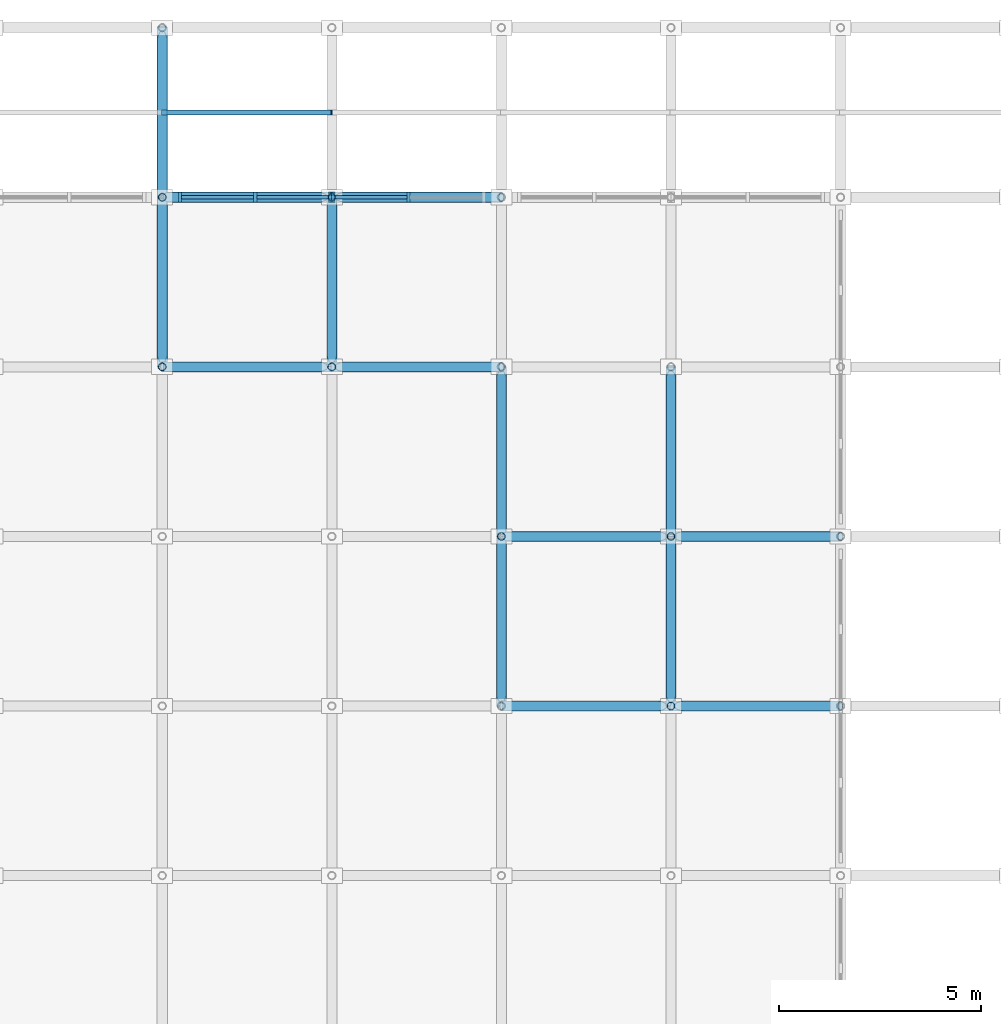
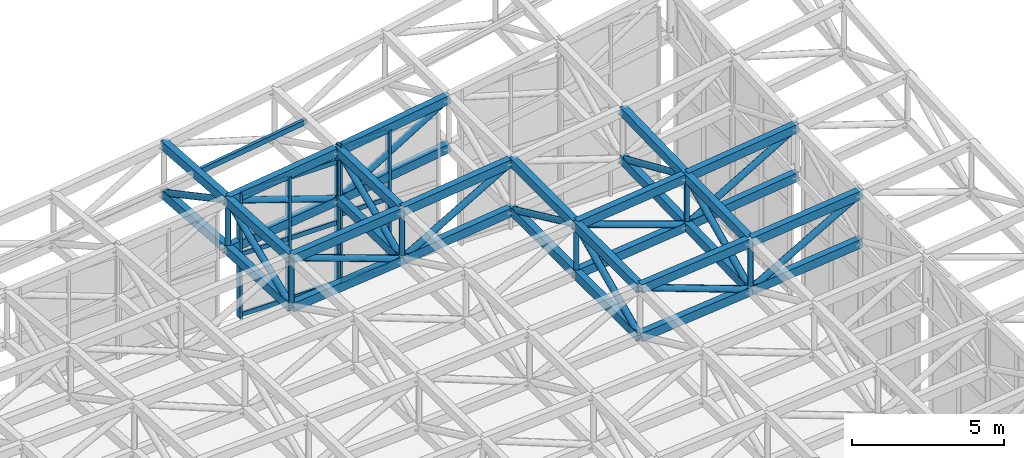
# One storey, part 58 of 111: 67 members, 2 elements without a shape of their own.
"""IFC4 building model written with IfcOpenShell, lengths in metres."""

from ifc_helpers import new_model, si_unit, direction, frame, origin, origin_2d, place, context, subcontext, project, spatial, rectangle, hollow_rectangle, hollow_circle, extrude, material, material_profile, profile_set, type_object, element, aggregate, save


model = new_model("IFC4")

# Units and contexts
model_context = context("Model", 3, precision=1e-05, world=origin(), true_north=direction((0.0, 1.0)))
body_context = subcontext(model_context, "Body", "Model", "MODEL_VIEW")
ifc_project = project(units=[si_unit("LENGTHUNIT", "METRE"), si_unit("AREAUNIT", "SQUARE_METRE"), si_unit("VOLUMEUNIT", "CUBIC_METRE"), si_unit("PLANEANGLEUNIT", "RADIAN"), si_unit("MASSUNIT", "GRAM", prefix="KILO")], contexts=[model_context])

# Site, building, storey
site_placement = place(None, origin())
site = spatial("IfcSite", under=ifc_project, at=site_placement, CompositionType="ELEMENT")
building_placement = place(site_placement, origin())
building = spatial("IfcBuilding", under=site, at=building_placement, Name="Cumbredor Promenade Congress Hotel", CompositionType="ELEMENT")
storey_placement = place(building_placement, frame((0.0, 0.0, 15.1201171875)))
storey = spatial("IfcBuildingStorey", under=building, at=storey_placement, Name="L04", CompositionType="ELEMENT", Elevation=15.1201171875)

# Curtain wall, members
ifc_material_1 = material(Name="Thermally broken anodized aluminium and low-E glass", Category="aluminium")
curtain_wall_type = type_object("IfcCurtainWallType", Name="Stepped Pavilion Clerestory Curtain Wall CW-06", PredefinedType="NOTDEFINED", material=ifc_material_1)
curtain_wall_1_placement = place(storey_placement, origin())
curtain_wall_1 = element("IfcCurtainWall", 1, at=curtain_wall_1_placement, inside=storey, type_object=curtain_wall_type, Name="Pre-Function and Breakout Meeting Forum N Glazed Clerestory 17", PredefinedType="NOTDEFINED")
ifc_material_2 = material(Name="Thermally broken anodized aluminium", Category="aluminium")
ifc_material_profile_1 = material_profile(ifc_material_2, rectangle(XDim=0.0849609375, YDim=0.260009765625, at=origin_2d()), Name="ALU MULLION CLERESTORY 85x260")
ifc_profile_set_1 = profile_set([ifc_material_profile_1], Name="Thermally broken anodized aluminium")
member_type_1 = type_object("IfcMemberType", Name="Curtain Wall Mullion ML-04", PredefinedType="MULLION", material=ifc_profile_set_1)
member_1_placement = place(storey_placement, frame((160.0400390625, 117.60009765625, -0.01806640625), z_axis=(0.0, 0.0, 1.0), x_axis=(1.0, 0.0, 0.0)))
member_1 = element("IfcMember", 2, at=member_1_placement, type_object=member_type_1, Name="Pre-Function and Breakout Meeting Forum N Glazed Clerestory 17 Mullion 1", PredefinedType="MULLION", context=body_context, shape_type="SweptSolid", body=[
    extrude(rectangle(XDim=0.0849609375, YDim=0.260009765625, at=origin_2d()), origin(), (0.0, 0.0, 1.0), 5.064453125),
])
member_2_placement = place(storey_placement, frame((161.89990234375, 117.60009765625, -0.01806640625), z_axis=(0.0, 0.0, 1.0), x_axis=(1.0, 0.0, 0.0)))
member_2 = element("IfcMember", 3, at=member_2_placement, type_object=member_type_1, Name="Pre-Function and Breakout Meeting Forum N Glazed Clerestory 17 Mullion 2", PredefinedType="MULLION", context=body_context, shape_type="SweptSolid", body=[
    extrude(rectangle(XDim=0.0849609375, YDim=0.260009765625, at=origin_2d()), origin(), (0.0, 0.0, 1.0), 5.064453125),
])
member_3_placement = place(storey_placement, frame((163.760009765625, 117.60009765625, -0.01806640625), z_axis=(0.0, 0.0, 1.0), x_axis=(1.0, 0.0, 0.0)))
member_3 = element("IfcMember", 4, at=member_3_placement, type_object=member_type_1, Name="Pre-Function and Breakout Meeting Forum N Glazed Clerestory 17 Mullion 3", PredefinedType="MULLION", context=body_context, shape_type="SweptSolid", body=[
    extrude(rectangle(XDim=0.0849609375, YDim=0.260009765625, at=origin_2d()), origin(), (0.0, 0.0, 1.0), 5.064453125),
])

curtain_wall_2_placement = place(storey_placement, origin())
curtain_wall_2 = element("IfcCurtainWall", 5, at=curtain_wall_2_placement, inside=storey, type_object=curtain_wall_type, Name="Pre-Function and Breakout Meeting Forum N Glazed Clerestory 18", PredefinedType="NOTDEFINED")
member_4_placement = place(storey_placement, frame((163.840087890625, 117.60009765625, -0.01806640625), z_axis=(0.0, 0.0, 1.0), x_axis=(1.0, 0.0, 0.0)))
member_4 = element("IfcMember", 6, at=member_4_placement, type_object=member_type_1, Name="Pre-Function and Breakout Meeting Forum N Glazed Clerestory 18 Mullion 1", PredefinedType="MULLION", context=body_context, shape_type="SweptSolid", body=[
    extrude(rectangle(XDim=0.0849609375, YDim=0.260009765625, at=origin_2d()), origin(), (0.0, 0.0, 1.0), 5.6123046875),
])
member_5_placement = place(storey_placement, frame((165.699951171875, 117.60009765625, -0.01806640625), z_axis=(0.0, 0.0, 1.0), x_axis=(1.0, 0.0, 0.0)))
member_5 = element("IfcMember", 7, at=member_5_placement, type_object=member_type_1, Name="Pre-Function and Breakout Meeting Forum N Glazed Clerestory 18 Mullion 2", PredefinedType="MULLION", context=body_context, shape_type="SweptSolid", body=[
    extrude(rectangle(XDim=0.0849609375, YDim=0.260009765625, at=origin_2d()), origin(), (0.0, 0.0, 1.0), 5.6123046875),
])

# Member
ifc_material_profile_2 = material_profile(ifc_material_2, rectangle(XDim=0.080078125, YDim=0.179931640625, at=origin_2d()), Name="ALU TRANSOM 80x180")
ifc_profile_set_2 = profile_set([ifc_material_profile_2], Name="Thermally broken anodized aluminium")
member_type_2 = type_object("IfcMemberType", Name="Curtain Wall Transom TR-03", PredefinedType="USERDEFINED", material=ifc_profile_set_2)
member_6_placement = place(storey_placement, frame((160.08251953125, 117.60009765625, 0.079833984375), z_axis=(1.0, 0.0, 0.0), x_axis=(0.0, 1.0, 0.0)))
member_6 = element("IfcMember", 8, at=member_6_placement, type_object=member_type_2, Name="Pre-Function and Breakout Meeting Forum N Glazed Clerestory 17 Transom 1.1", ObjectType="TRANSOM", PredefinedType="USERDEFINED", context=body_context, shape_type="SweptSolid", body=[
    extrude(rectangle(XDim=0.080078125, YDim=0.179931640625, at=origin_2d()), origin(), (0.0, 0.0, 1.0), 1.77490234375),
])

member_7_placement = place(storey_placement, frame((160.08251953125, 117.60009765625, 2.509765625), z_axis=(1.0, 0.0, 0.0), x_axis=(0.0, 1.0, 0.0)))
member_7 = element("IfcMember", 9, at=member_7_placement, type_object=member_type_2, Name="Pre-Function and Breakout Meeting Forum N Glazed Clerestory 17 Transom 1.2", ObjectType="TRANSOM", PredefinedType="USERDEFINED", context=body_context, shape_type="SweptSolid", body=[
    extrude(rectangle(XDim=0.080078125, YDim=0.179931640625, at=origin_2d()), origin(), (0.0, 0.0, 1.0), 1.77490234375),
])

member_8_placement = place(storey_placement, frame((160.08251953125, 117.60009765625, 4.949951171875), z_axis=(1.0, 0.0, 0.0), x_axis=(0.0, 1.0, 0.0)))
member_8 = element("IfcMember", 10, at=member_8_placement, type_object=member_type_2, Name="Pre-Function and Breakout Meeting Forum N Glazed Clerestory 17 Transom 1.3", ObjectType="TRANSOM", PredefinedType="USERDEFINED", context=body_context, shape_type="SweptSolid", body=[
    extrude(rectangle(XDim=0.080078125, YDim=0.179931640625, at=origin_2d()), origin(), (0.0, 0.0, 1.0), 1.77490234375),
])

member_9_placement = place(storey_placement, frame((161.9423828125, 117.60009765625, 0.079833984375), z_axis=(1.0, 0.0, 0.0), x_axis=(0.0, 1.0, 0.0)))
member_9 = element("IfcMember", 11, at=member_9_placement, type_object=member_type_2, Name="Pre-Function and Breakout Meeting Forum N Glazed Clerestory 17 Transom 2.1", ObjectType="TRANSOM", PredefinedType="USERDEFINED", context=body_context, shape_type="SweptSolid", body=[
    extrude(rectangle(XDim=0.080078125, YDim=0.179931640625, at=origin_2d()), origin(), (0.0, 0.0, 1.0), 1.775146484375),
])

member_10_placement = place(storey_placement, frame((161.9423828125, 117.60009765625, 2.509765625), z_axis=(1.0, 0.0, 0.0), x_axis=(0.0, 1.0, 0.0)))
member_10 = element("IfcMember", 12, at=member_10_placement, type_object=member_type_2, Name="Pre-Function and Breakout Meeting Forum N Glazed Clerestory 17 Transom 2.2", ObjectType="TRANSOM", PredefinedType="USERDEFINED", context=body_context, shape_type="SweptSolid", body=[
    extrude(rectangle(XDim=0.080078125, YDim=0.179931640625, at=origin_2d()), origin(), (0.0, 0.0, 1.0), 1.775146484375),
])

member_11_placement = place(storey_placement, frame((161.9423828125, 117.60009765625, 4.949951171875), z_axis=(1.0, 0.0, 0.0), x_axis=(0.0, 1.0, 0.0)))
member_11 = element("IfcMember", 13, at=member_11_placement, type_object=member_type_2, Name="Pre-Function and Breakout Meeting Forum N Glazed Clerestory 17 Transom 2.3", ObjectType="TRANSOM", PredefinedType="USERDEFINED", context=body_context, shape_type="SweptSolid", body=[
    extrude(rectangle(XDim=0.080078125, YDim=0.179931640625, at=origin_2d()), origin(), (0.0, 0.0, 1.0), 1.775146484375),
])

aggregate(curtain_wall_1, [member_1, member_2, member_3, member_6, member_7, member_8, member_9, member_10, member_11])

member_12_placement = place(storey_placement, frame((163.882568359375, 117.60009765625, 0.079833984375), z_axis=(1.0, 0.0, 0.0), x_axis=(0.0, 1.0, 0.0)))
member_12 = element("IfcMember", 14, at=member_12_placement, type_object=member_type_2, Name="Pre-Function and Breakout Meeting Forum N Glazed Clerestory 18 Transom 1.1", ObjectType="TRANSOM", PredefinedType="USERDEFINED", context=body_context, shape_type="SweptSolid", body=[
    extrude(rectangle(XDim=0.080078125, YDim=0.179931640625, at=origin_2d()), origin(), (0.0, 0.0, 1.0), 1.77490234375),
])

member_13_placement = place(storey_placement, frame((163.882568359375, 117.60009765625, 2.789794921875), z_axis=(1.0, 0.0, 0.0), x_axis=(0.0, 1.0, 0.0)))
member_13 = element("IfcMember", 15, at=member_13_placement, type_object=member_type_2, Name="Pre-Function and Breakout Meeting Forum N Glazed Clerestory 18 Transom 1.2", ObjectType="TRANSOM", PredefinedType="USERDEFINED", context=body_context, shape_type="SweptSolid", body=[
    extrude(rectangle(XDim=0.080078125, YDim=0.179931640625, at=origin_2d()), origin(), (0.0, 0.0, 1.0), 1.77490234375),
])

member_14_placement = place(storey_placement, frame((163.882568359375, 117.60009765625, 5.5), z_axis=(1.0, 0.0, 0.0), x_axis=(0.0, 1.0, 0.0)))
member_14 = element("IfcMember", 16, at=member_14_placement, type_object=member_type_2, Name="Pre-Function and Breakout Meeting Forum N Glazed Clerestory 18 Transom 1.3", ObjectType="TRANSOM", PredefinedType="USERDEFINED", context=body_context, shape_type="SweptSolid", body=[
    extrude(rectangle(XDim=0.080078125, YDim=0.179931640625, at=origin_2d()), origin(), (0.0, 0.0, 1.0), 1.77490234375),
])

aggregate(curtain_wall_2, [member_4, member_5, member_12, member_13, member_14])

# Members
ifc_material_3 = material(Name="Steel ASTM A500 Grade C", Category="steel")
ifc_material_profile_3 = material_profile(ifc_material_3, hollow_rectangle(XDim=0.25, YDim=0.35009765625, WallThickness=0.01611328125, at=origin_2d()), Name="HSS 350x250x16")
ifc_profile_set_3 = profile_set([ifc_material_profile_3], Name="Steel ASTM A500 Grade C")
member_type_3 = type_object("IfcMemberType", Name="Forum Roof Truss Chord", PredefinedType="CHORD", material=ifc_profile_set_3)
for number, where, z_axis, x_axis, name in (
    (17, (168.0, 105.0, 6.0263671875), (0.995192328225, 0.0, 0.097939929761), (0.0, 1.0, 0.0), "Pre-Function and Breakout Meeting Forum X Top Chord 20.7"),
    (18, (168.0, 105.0, 4.076416015625), (0.995192328225, 0.0, 0.097939929761), (0.0, 1.0, 0.0), "Pre-Function and Breakout Meeting Forum X Bottom Chord 20.7"),
):
    element("IfcMember", number, at=place(storey_placement, frame(where, z_axis=z_axis, x_axis=x_axis)), inside=storey, type_object=member_type_3, Name=name, PredefinedType="CHORD", context=body_context, shape_type="SweptSolid", body=[
        extrude(hollow_rectangle(XDim=0.25, YDim=0.35009765625, WallThickness=0.01611328125, at=origin_2d()), origin(), (0.0, 0.0, 1.0), 4.22021484375),
    ])
for number, where, z_axis, x_axis, name in (
    (19, (172.199951171875, 105.0, 6.439697265625), (0.994012705385, 0.0, 0.109264548386), (0.0, 1.0, 0.0), "Pre-Function and Breakout Meeting Forum X Top Chord 21.7"),
    (20, (172.199951171875, 105.0, 4.48974609375), (0.994012705385, 0.0, 0.109264548386), (0.0, 1.0, 0.0), "Pre-Function and Breakout Meeting Forum X Bottom Chord 21.7"),
):
    element("IfcMember", number, at=place(storey_placement, frame(where, z_axis=z_axis, x_axis=x_axis)), inside=storey, type_object=member_type_3, Name=name, PredefinedType="CHORD", context=body_context, shape_type="SweptSolid", body=[
        extrude(hollow_rectangle(XDim=0.25, YDim=0.35009765625, WallThickness=0.01611328125, at=origin_2d()), origin(), (0.0, 0.0, 1.0), 4.225341796875),
    ])
for number, where, z_axis, x_axis, name in (
    (21, (168.0, 109.199951171875, 6.0263671875), (0.993701360609, 0.0, 0.112060724268), (0.0, 1.0, 0.0), "Pre-Function and Breakout Meeting Forum X Top Chord 20.8"),
    (22, (168.0, 109.199951171875, 4.076171875), (0.993701360609, 0.0, 0.112060724268), (0.0, 1.0, 0.0), "Pre-Function and Breakout Meeting Forum X Bottom Chord 20.8"),
):
    element("IfcMember", number, at=place(storey_placement, frame(where, z_axis=z_axis, x_axis=x_axis)), inside=storey, type_object=member_type_3, Name=name, PredefinedType="CHORD", context=body_context, shape_type="SweptSolid", body=[
        extrude(hollow_rectangle(XDim=0.25, YDim=0.35009765625, WallThickness=0.01611328125, at=origin_2d()), origin(), (0.0, 0.0, 1.0), 4.2265625),
    ])
for number, where, z_axis, x_axis, name in (
    (23, (172.199951171875, 109.199951171875, 6.5), (0.992159418493, 0.0, 0.124978751373), (0.0, 1.0, 0.0), "Pre-Function and Breakout Meeting Forum X Top Chord 21.8"),
    (24, (172.199951171875, 109.199951171875, 4.5498046875), (0.992152265457, 0.0, 0.125035523543), (0.0, 1.0, 0.0), "Pre-Function and Breakout Meeting Forum X Bottom Chord 21.8"),
):
    element("IfcMember", number, at=place(storey_placement, frame(where, z_axis=z_axis, x_axis=x_axis)), inside=storey, type_object=member_type_3, Name=name, PredefinedType="CHORD", context=body_context, shape_type="SweptSolid", body=[
        extrude(hollow_rectangle(XDim=0.25, YDim=0.35009765625, WallThickness=0.01611328125, at=origin_2d()), origin(), (0.0, 0.0, 1.0), 4.233154296875),
    ])
for number, where, z_axis, x_axis, name in (
    (25, (159.60009765625, 113.39990234375, 5.0791015625), (0.994564532664, 0.0, 0.104121997519), (0.0, 1.0, 0.0), "Pre-Function and Breakout Meeting Forum X Top Chord 18.9"),
    (26, (159.60009765625, 113.39990234375, 3.12890625), (0.994564532664, 0.0, 0.104121997519), (0.0, 1.0, 0.0), "Pre-Function and Breakout Meeting Forum X Bottom Chord 18.9"),
):
    element("IfcMember", number, at=place(storey_placement, frame(where, z_axis=z_axis, x_axis=x_axis)), inside=storey, type_object=member_type_3, Name=name, PredefinedType="CHORD", context=body_context, shape_type="SweptSolid", body=[
        extrude(hollow_rectangle(XDim=0.25, YDim=0.35009765625, WallThickness=0.01611328125, at=origin_2d()), origin(), (0.0, 0.0, 1.0), 4.222900390625),
    ])
for number, where, z_axis, x_axis, name in (
    (27, (163.800048828125, 113.39990234375, 5.518798828125), (0.992790285705, 0.0, 0.119864292473), (0.0, 1.0, 0.0), "Pre-Function and Breakout Meeting Forum X Top Chord 19.9"),
    (28, (163.800048828125, 113.39990234375, 3.568603515625), (0.992790285705, 0.0, 0.119864292473), (0.0, 1.0, 0.0), "Pre-Function and Breakout Meeting Forum X Bottom Chord 19.9"),
):
    element("IfcMember", number, at=place(storey_placement, frame(where, z_axis=z_axis, x_axis=x_axis)), inside=storey, type_object=member_type_3, Name=name, PredefinedType="CHORD", context=body_context, shape_type="SweptSolid", body=[
        extrude(hollow_rectangle(XDim=0.25, YDim=0.35009765625, WallThickness=0.01611328125, at=origin_2d()), origin(), (0.0, 0.0, 1.0), 4.23046875),
    ])
for number, where, z_axis, x_axis, name in (
    (29, (159.60009765625, 117.60009765625, 4.845458984375), (0.991606838382, 0.0, 0.129289899348), (0.0, 1.0, 0.0), "Pre-Function and Breakout Meeting Forum X Top Chord 18.10"),
    (30, (159.60009765625, 117.60009765625, 2.895263671875), (0.991599446903, 0.0, 0.129346576693), (0.0, 1.0, 0.0), "Pre-Function and Breakout Meeting Forum X Bottom Chord 18.10"),
):
    element("IfcMember", number, at=place(storey_placement, frame(where, z_axis=z_axis, x_axis=x_axis)), inside=storey, type_object=member_type_3, Name=name, PredefinedType="CHORD", context=body_context, shape_type="SweptSolid", body=[
        extrude(hollow_rectangle(XDim=0.25, YDim=0.35009765625, WallThickness=0.01611328125, at=origin_2d()), origin(), (0.0, 0.0, 1.0), 4.235595703125),
    ])
member_15_placement = place(storey_placement, frame((163.800048828125, 117.60009765625, 5.39306640625), z_axis=(0.988872595274, 0.0, 0.14876488267), x_axis=(0.0, 1.0, 0.0)))
element("IfcMember", 31, at=member_15_placement, inside=storey, type_object=member_type_3, Name="Pre-Function and Breakout Meeting Forum X Top Chord 19.10", PredefinedType="CHORD", context=body_context, shape_type="SweptSolid", body=[
    extrude(hollow_rectangle(XDim=0.25, YDim=0.35009765625, WallThickness=0.01611328125, at=origin_2d()), origin(), (0.0, 0.0, 1.0), 4.247314453125),
])
member_16_placement = place(storey_placement, frame((163.800048828125, 117.60009765625, 3.443115234375), z_axis=(0.988881049981, 0.0, 0.148708671528), x_axis=(0.0, 1.0, 0.0)))
element("IfcMember", 32, at=member_16_placement, inside=storey, type_object=member_type_3, Name="Pre-Function and Breakout Meeting Forum X Bottom Chord 19.10", PredefinedType="CHORD", context=body_context, shape_type="SweptSolid", body=[
    extrude(hollow_rectangle(XDim=0.25, YDim=0.35009765625, WallThickness=0.01611328125, at=origin_2d()), origin(), (0.0, 0.0, 1.0), 4.2470703125),
])
for number, where, z_axis, x_axis, name in (
    (33, (159.60009765625, 113.39990234375, 5.0791015625), (0.0, 0.998456422091, -0.055540734477), (-1.0, 0.0, 0.0), "Pre-Function and Breakout Meeting Forum Y Top Chord 18.9"),
    (34, (159.60009765625, 113.39990234375, 3.12890625), (0.0, 0.998456422091, -0.055540734477), (-1.0, 0.0, 0.0), "Pre-Function and Breakout Meeting Forum Y Bottom Chord 18.9"),
):
    element("IfcMember", number, at=place(storey_placement, frame(where, z_axis=z_axis, x_axis=x_axis)), inside=storey, type_object=member_type_3, Name=name, PredefinedType="CHORD", context=body_context, shape_type="SweptSolid", body=[
        extrude(hollow_rectangle(XDim=0.25, YDim=0.35009765625, WallThickness=0.01611328125, at=origin_2d()), origin(), (0.0, 0.0, 1.0), 4.206787109375),
    ])
for number, where, z_axis, x_axis, name in (
    (35, (159.60009765625, 117.60009765625, 4.845458984375), (0.0, 0.997482484736, -0.070913275524), (-1.0, 0.0, 0.0), "Pre-Function and Breakout Meeting Forum Y Top Chord 18.10"),
    (36, (159.60009765625, 117.60009765625, 2.895263671875), (0.0, 0.997486584501, -0.070855583692), (-1.0, 0.0, 0.0), "Pre-Function and Breakout Meeting Forum Y Bottom Chord 18.10"),
):
    element("IfcMember", number, at=place(storey_placement, frame(where, z_axis=z_axis, x_axis=x_axis)), inside=storey, type_object=member_type_3, Name=name, PredefinedType="CHORD", context=body_context, shape_type="SweptSolid", body=[
        extrude(hollow_rectangle(XDim=0.25, YDim=0.35009765625, WallThickness=0.01611328125, at=origin_2d()), origin(), (0.0, 0.0, 1.0), 4.21044921875),
    ])
for number, where, z_axis, x_axis, name in (
    (37, (163.800048828125, 113.39990234375, 5.518798828125), (0.0, 0.999552251812, -0.029921495564), (-1.0, 0.0, 0.0), "Pre-Function and Breakout Meeting Forum Y Top Chord 19.9"),
    (38, (163.800048828125, 113.39990234375, 3.568603515625), (0.0, 0.99955398779, -0.029863447438), (-1.0, 0.0, 0.0), "Pre-Function and Breakout Meeting Forum Y Bottom Chord 19.9"),
):
    element("IfcMember", number, at=place(storey_placement, frame(where, z_axis=z_axis, x_axis=x_axis)), inside=storey, type_object=member_type_3, Name=name, PredefinedType="CHORD", context=body_context, shape_type="SweptSolid", body=[
        extrude(hollow_rectangle(XDim=0.25, YDim=0.35009765625, WallThickness=0.01611328125, at=origin_2d()), origin(), (0.0, 0.0, 1.0), 4.2021484375),
    ])
for number, where, z_axis, x_axis, name in (
    (39, (168.0, 105.0, 6.0263671875), (0.0, 1.0, 0.0), (-1.0, 0.0, 0.0), "Pre-Function and Breakout Meeting Forum Y Top Chord 20.7"),
    (40, (168.0, 105.0, 4.076416015625), (0.0, 0.99999999831, -5.8129396e-05), (-1.0, 0.0, 0.0), "Pre-Function and Breakout Meeting Forum Y Bottom Chord 20.7"),
    (41, (168.0, 109.199951171875, 6.0263671875), (0.0, 0.999999993242, -0.000116258791), (-1.0, 0.0, 0.0), "Pre-Function and Breakout Meeting Forum Y Top Chord 20.8"),
    (42, (168.0, 109.199951171875, 4.076171875), (0.0, 0.999999993242, -0.000116258791), (-1.0, 0.0, 0.0), "Pre-Function and Breakout Meeting Forum Y Bottom Chord 20.8"),
):
    element("IfcMember", number, at=place(storey_placement, frame(where, z_axis=z_axis, x_axis=x_axis)), inside=storey, type_object=member_type_3, Name=name, PredefinedType="CHORD", context=body_context, shape_type="SweptSolid", body=[
        extrude(hollow_rectangle(XDim=0.25, YDim=0.35009765625, WallThickness=0.01611328125, at=origin_2d()), origin(), (0.0, 0.0, 1.0), 4.199951171875),
    ])
for number, where, z_axis, x_axis, name in (
    (43, (172.199951171875, 105.0, 6.439697265625), (0.0, 0.999896940415, 0.014356481095), (-1.0, 0.0, 0.0), "Pre-Function and Breakout Meeting Forum Y Top Chord 21.7"),
    (44, (172.199951171875, 105.0, 4.48974609375), (0.0, 0.999897773088, 0.014298369597), (-1.0, 0.0, 0.0), "Pre-Function and Breakout Meeting Forum Y Bottom Chord 21.7"),
):
    element("IfcMember", number, at=place(storey_placement, frame(where, z_axis=z_axis, x_axis=x_axis)), inside=storey, type_object=member_type_3, Name=name, PredefinedType="CHORD", context=body_context, shape_type="SweptSolid", body=[
        extrude(hollow_rectangle(XDim=0.25, YDim=0.35009765625, WallThickness=0.01611328125, at=origin_2d()), origin(), (0.0, 0.0, 1.0), 4.200439453125),
    ])
for number, where, z_axis, x_axis, name in (
    (45, (172.199951171875, 109.199951171875, 6.5), (0.0, 0.99971611374, 0.023826286498), (-1.0, 0.0, 0.0), "Pre-Function and Breakout Meeting Forum Y Top Chord 21.8"),
    (46, (172.199951171875, 109.199951171875, 4.5498046875), (0.0, 0.999714727834, 0.023884366281), (-1.0, 0.0, 0.0), "Pre-Function and Breakout Meeting Forum Y Bottom Chord 21.8"),
):
    element("IfcMember", number, at=place(storey_placement, frame(where, z_axis=z_axis, x_axis=x_axis)), inside=storey, type_object=member_type_3, Name=name, PredefinedType="CHORD", context=body_context, shape_type="SweptSolid", body=[
        extrude(hollow_rectangle(XDim=0.25, YDim=0.35009765625, WallThickness=0.01611328125, at=origin_2d()), origin(), (0.0, 0.0, 1.0), 4.201171875),
    ])
ifc_material_profile_4 = material_profile(ifc_material_3, hollow_rectangle(XDim=0.1201171875, YDim=0.199951171875, WallThickness=0.010009765625, at=origin_2d()), Name="HSS 200x120x10")
ifc_profile_set_4 = profile_set([ifc_material_profile_4], Name="Steel ASTM A500 Grade C")
member_type_4 = type_object("IfcMemberType", Name="Roof Purlin HSS200x120", PredefinedType="PURLIN", material=ifc_profile_set_4)
member_17_placement = place(storey_placement, frame((159.60009765625, 119.699951171875, 4.67626953125), z_axis=(0.989366195277, 0.0, 0.145445974996), x_axis=(0.0, 1.0, 0.0)))
element("IfcMember", 47, at=member_17_placement, inside=storey, type_object=member_type_4, Name="Pre-Function and Breakout Meeting Forum Roof Eave Purlin 18.10", PredefinedType="PURLIN", context=body_context, shape_type="SweptSolid", body=[
    extrude(hollow_rectangle(XDim=0.1201171875, YDim=0.199951171875, WallThickness=0.010009765625, at=origin_2d()), origin(), (0.0, 0.0, 1.0), 4.2451171875),
])
ifc_material_profile_5 = material_profile(ifc_material_3, hollow_circle(Radius=0.122314453125, WallThickness=0.012451171875, at=origin_2d()), Name="CHS 244.5x12.5")
ifc_profile_set_5 = profile_set([ifc_material_profile_5], Name="Steel ASTM A500 Grade C")
member_type_5 = type_object("IfcMemberType", Name="Space Frame Web Diagonal D2", PredefinedType="BRACE", material=ifc_profile_set_5)
member_18_placement = place(storey_placement, frame((168.0, 105.0, 6.0263671875), z_axis=(0.939118985478, 0.0, -0.343592099901), x_axis=(0.0, 1.0, 0.0)))
element("IfcMember", 48, at=member_18_placement, inside=storey, type_object=member_type_5, Name="Pre-Function and Breakout Meeting Forum X Web Diagonal 20.7", PredefinedType="BRACE", context=body_context, shape_type="SweptSolid", body=[
    extrude(hollow_circle(Radius=0.122314453125, WallThickness=0.012451171875, at=origin_2d()), origin(), (0.0, 0.0, 1.0), 4.47216796875),
])
member_19_placement = place(storey_placement, frame((172.199951171875, 105.0, 4.48974609375), z_axis=(0.867205127141, 0.0, 0.497951069343), x_axis=(0.0, 1.0, 0.0)))
element("IfcMember", 49, at=member_19_placement, inside=storey, type_object=member_type_5, Name="Pre-Function and Breakout Meeting Forum X Web Diagonal 21.7", PredefinedType="BRACE", context=body_context, shape_type="SweptSolid", body=[
    extrude(hollow_circle(Radius=0.122314453125, WallThickness=0.012451171875, at=origin_2d()), origin(), (0.0, 0.0, 1.0), 4.843017578125),
])
member_20_placement = place(storey_placement, frame((168.0, 109.199951171875, 6.0263671875), z_axis=(0.943396618832, 0.0, -0.331666729681), x_axis=(0.0, 1.0, 0.0)))
element("IfcMember", 50, at=member_20_placement, inside=storey, type_object=member_type_5, Name="Pre-Function and Breakout Meeting Forum X Web Diagonal 20.8", PredefinedType="BRACE", context=body_context, shape_type="SweptSolid", body=[
    extrude(hollow_circle(Radius=0.122314453125, WallThickness=0.012451171875, at=origin_2d()), origin(), (0.0, 0.0, 1.0), 4.451904296875),
])
member_21_placement = place(storey_placement, frame((172.199951171875, 109.199951171875, 4.5498046875), z_axis=(0.861154655764, 0.0, 0.508343052333), x_axis=(0.0, 1.0, 0.0)))
element("IfcMember", 51, at=member_21_placement, inside=storey, type_object=member_type_5, Name="Pre-Function and Breakout Meeting Forum X Web Diagonal 21.8", PredefinedType="BRACE", context=body_context, shape_type="SweptSolid", body=[
    extrude(hollow_circle(Radius=0.122314453125, WallThickness=0.012451171875, at=origin_2d()), origin(), (0.0, 0.0, 1.0), 4.877197265625),
])
member_22_placement = place(storey_placement, frame((159.60009765625, 113.39990234375, 5.0791015625), z_axis=(0.94099335553, 0.0, -0.338425035788), x_axis=(0.0, 1.0, 0.0)))
element("IfcMember", 52, at=member_22_placement, inside=storey, type_object=member_type_5, Name="Pre-Function and Breakout Meeting Forum X Web Diagonal 18.9", PredefinedType="BRACE", context=body_context, shape_type="SweptSolid", body=[
    extrude(hollow_circle(Radius=0.122314453125, WallThickness=0.012451171875, at=origin_2d()), origin(), (0.0, 0.0, 1.0), 4.46337890625),
])
member_23_placement = place(storey_placement, frame((163.800048828125, 113.39990234375, 3.568603515625), z_axis=(0.863124886965, 0.0, 0.50499052417), x_axis=(0.0, 1.0, 0.0)))
element("IfcMember", 53, at=member_23_placement, inside=storey, type_object=member_type_5, Name="Pre-Function and Breakout Meeting Forum X Web Diagonal 19.9", PredefinedType="BRACE", context=body_context, shape_type="SweptSolid", body=[
    extrude(hollow_circle(Radius=0.122314453125, WallThickness=0.012451171875, at=origin_2d()), origin(), (0.0, 0.0, 1.0), 4.865966796875),
])
member_24_placement = place(storey_placement, frame((159.60009765625, 117.60009765625, 4.845458984375), z_axis=(0.948523279227, 0.0, -0.316707418234), x_axis=(0.0, 1.0, 0.0)))
element("IfcMember", 54, at=member_24_placement, inside=storey, type_object=member_type_5, Name="Pre-Function and Breakout Meeting Forum X Web Diagonal 18.10", PredefinedType="BRACE", context=body_context, shape_type="SweptSolid", body=[
    extrude(hollow_circle(Radius=0.122314453125, WallThickness=0.012451171875, at=origin_2d()), origin(), (0.0, 0.0, 1.0), 4.427978515625),
])
member_25_placement = place(storey_placement, frame((163.800048828125, 117.60009765625, 3.443115234375), z_axis=(0.851911561222, 0.0, 0.5236856804), x_axis=(0.0, 1.0, 0.0)))
element("IfcMember", 55, at=member_25_placement, inside=storey, type_object=member_type_5, Name="Pre-Function and Breakout Meeting Forum X Web Diagonal 19.10", PredefinedType="BRACE", context=body_context, shape_type="SweptSolid", body=[
    extrude(hollow_circle(Radius=0.122314453125, WallThickness=0.012451171875, at=origin_2d()), origin(), (0.0, 0.0, 1.0), 4.929931640625),
])
member_26_placement = place(storey_placement, frame((159.60009765625, 113.39990234375, 3.12890625), z_axis=(0.0, 0.925678891391, 0.378310177015), x_axis=(-1.0, 0.0, 0.0)))
element("IfcMember", 56, at=member_26_placement, inside=storey, type_object=member_type_5, Name="Pre-Function and Breakout Meeting Forum Y Web Diagonal 18.9", PredefinedType="BRACE", context=body_context, shape_type="SweptSolid", body=[
    extrude(hollow_circle(Radius=0.122314453125, WallThickness=0.012451171875, at=origin_2d()), origin(), (0.0, 0.0, 1.0), 4.537353515625),
])
member_27_placement = place(storey_placement, frame((159.60009765625, 117.60009765625, 4.845458984375), z_axis=(0.0, 0.881605644277, -0.471986745555), x_axis=(-1.0, 0.0, 0.0)))
element("IfcMember", 57, at=member_27_placement, inside=storey, type_object=member_type_5, Name="Pre-Function and Breakout Meeting Forum Y Web Diagonal 18.10", PredefinedType="BRACE", context=body_context, shape_type="SweptSolid", body=[
    extrude(hollow_circle(Radius=0.122314453125, WallThickness=0.012451171875, at=origin_2d()), origin(), (0.0, 0.0, 1.0), 4.763916015625),
])
member_28_placement = place(storey_placement, frame((163.800048828125, 113.39990234375, 3.568603515625), z_axis=(0.0, 0.917206464912, 0.398412224616), x_axis=(-1.0, 0.0, 0.0)))
element("IfcMember", 58, at=member_28_placement, inside=storey, type_object=member_type_5, Name="Pre-Function and Breakout Meeting Forum Y Web Diagonal 19.9", PredefinedType="BRACE", context=body_context, shape_type="SweptSolid", body=[
    extrude(hollow_circle(Radius=0.122314453125, WallThickness=0.012451171875, at=origin_2d()), origin(), (0.0, 0.0, 1.0), 4.579345703125),
])
member_29_placement = place(storey_placement, frame((168.0, 105.0, 4.076416015625), z_axis=(0.0, 0.907011125382, 0.421106659212), x_axis=(-1.0, 0.0, 0.0)))
element("IfcMember", 59, at=member_29_placement, inside=storey, type_object=member_type_5, Name="Pre-Function and Breakout Meeting Forum Y Web Diagonal 20.7", PredefinedType="BRACE", context=body_context, shape_type="SweptSolid", body=[
    extrude(hollow_circle(Radius=0.122314453125, WallThickness=0.012451171875, at=origin_2d()), origin(), (0.0, 0.0, 1.0), 4.630615234375),
])
member_30_placement = place(storey_placement, frame((168.0, 109.199951171875, 6.0263671875), z_axis=(0.0, 0.906950706517, -0.421236769463), x_axis=(-1.0, 0.0, 0.0)))
element("IfcMember", 60, at=member_30_placement, inside=storey, type_object=member_type_5, Name="Pre-Function and Breakout Meeting Forum Y Web Diagonal 20.8", PredefinedType="BRACE", context=body_context, shape_type="SweptSolid", body=[
    extrude(hollow_circle(Radius=0.122314453125, WallThickness=0.012451171875, at=origin_2d()), origin(), (0.0, 0.0, 1.0), 4.630859375),
])
member_31_placement = place(storey_placement, frame((172.199951171875, 105.0, 4.48974609375), z_axis=(0.0, 0.902001967884, 0.431731919058), x_axis=(-1.0, 0.0, 0.0)))
element("IfcMember", 61, at=member_31_placement, inside=storey, type_object=member_type_5, Name="Pre-Function and Breakout Meeting Forum Y Web Diagonal 21.7", PredefinedType="BRACE", context=body_context, shape_type="SweptSolid", body=[
    extrude(hollow_circle(Radius=0.122314453125, WallThickness=0.012451171875, at=origin_2d()), origin(), (0.0, 0.0, 1.0), 4.65625),
])
member_32_placement = place(storey_placement, frame((172.199951171875, 109.199951171875, 6.5), z_axis=(0.0, 0.915164359743, -0.403080878554), x_axis=(-1.0, 0.0, 0.0)))
element("IfcMember", 62, at=member_32_placement, inside=storey, type_object=member_type_5, Name="Pre-Function and Breakout Meeting Forum Y Web Diagonal 21.8", PredefinedType="BRACE", context=body_context, shape_type="SweptSolid", body=[
    extrude(hollow_circle(Radius=0.122314453125, WallThickness=0.012451171875, at=origin_2d()), origin(), (0.0, 0.0, 1.0), 4.58935546875),
])
ifc_material_profile_6 = material_profile(ifc_material_3, hollow_circle(Radius=0.096923828125, WallThickness=0.010009765625, at=origin_2d()), Name="CHS 193.7x10")
ifc_profile_set_6 = profile_set([ifc_material_profile_6], Name="Steel ASTM A500 Grade C")
member_type_6 = type_object("IfcMemberType", Name="Space Frame Web Post P1", PredefinedType="BRACE", material=ifc_profile_set_6)
for number, where, z_axis, x_axis, name in (
    (63, (159.60009765625, 113.39990234375, 3.12890625), (0.0, 0.0, 1.0), (1.0, 0.0, 0.0), "Pre-Function and Breakout Meeting Forum Space Frame Web Post 18.9"),
    (64, (159.60009765625, 117.60009765625, 2.895263671875), (0.0, 0.0, 1.0), (1.0, 0.0, 0.0), "Pre-Function and Breakout Meeting Forum Space Frame Web Post 18.10"),
    (65, (163.800048828125, 113.39990234375, 3.568603515625), (0.0, 0.0, 1.0), (1.0, 0.0, 0.0), "Pre-Function and Breakout Meeting Forum Space Frame Web Post 19.9"),
):
    element("IfcMember", number, at=place(storey_placement, frame(where, z_axis=z_axis, x_axis=x_axis)), inside=storey, type_object=member_type_6, Name=name, PredefinedType="BRACE", context=body_context, shape_type="SweptSolid", body=[
        extrude(hollow_circle(Radius=0.096923828125, WallThickness=0.010009765625, at=origin_2d()), origin(), (0.0, 0.0, 1.0), 1.9501953125),
    ])
member_33_placement = place(storey_placement, frame((163.800048828125, 117.60009765625, 3.443115234375), z_axis=(0.0, 0.0, 1.0), x_axis=(1.0, 0.0, 0.0)))
element("IfcMember", 66, at=member_33_placement, inside=storey, type_object=member_type_6, Name="Pre-Function and Breakout Meeting Forum Space Frame Web Post 19.10", PredefinedType="BRACE", context=body_context, shape_type="SweptSolid", body=[
    extrude(hollow_circle(Radius=0.096923828125, WallThickness=0.010009765625, at=origin_2d()), origin(), (0.0, 0.0, 1.0), 1.949951171875),
])
member_34_placement = place(storey_placement, frame((168.0, 109.199951171875, 4.076171875), z_axis=(0.0, 0.0, 1.0), x_axis=(1.0, 0.0, 0.0)))
element("IfcMember", 67, at=member_34_placement, inside=storey, type_object=member_type_6, Name="Pre-Function and Breakout Meeting Forum Space Frame Web Post 20.8", PredefinedType="BRACE", context=body_context, shape_type="SweptSolid", body=[
    extrude(hollow_circle(Radius=0.096923828125, WallThickness=0.010009765625, at=origin_2d()), origin(), (0.0, 0.0, 1.0), 1.9501953125),
])
member_35_placement = place(storey_placement, frame((172.199951171875, 105.0, 4.48974609375), z_axis=(0.0, 0.0, 1.0), x_axis=(1.0, 0.0, 0.0)))
element("IfcMember", 68, at=member_35_placement, inside=storey, type_object=member_type_6, Name="Pre-Function and Breakout Meeting Forum Space Frame Web Post 21.7", PredefinedType="BRACE", context=body_context, shape_type="SweptSolid", body=[
    extrude(hollow_circle(Radius=0.096923828125, WallThickness=0.010009765625, at=origin_2d()), origin(), (0.0, 0.0, 1.0), 1.949951171875),
])
member_36_placement = place(storey_placement, frame((172.199951171875, 109.199951171875, 4.5498046875), z_axis=(0.0, 0.0, 1.0), x_axis=(1.0, 0.0, 0.0)))
element("IfcMember", 69, at=member_36_placement, inside=storey, type_object=member_type_6, Name="Pre-Function and Breakout Meeting Forum Space Frame Web Post 21.8", PredefinedType="BRACE", context=body_context, shape_type="SweptSolid", body=[
    extrude(hollow_circle(Radius=0.096923828125, WallThickness=0.010009765625, at=origin_2d()), origin(), (0.0, 0.0, 1.0), 1.9501953125),
])

save(model, "model.ifc")
